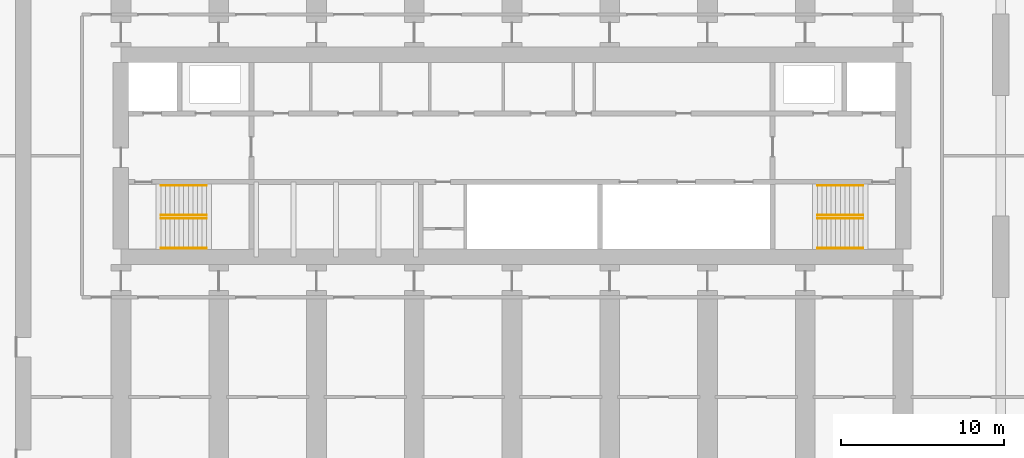
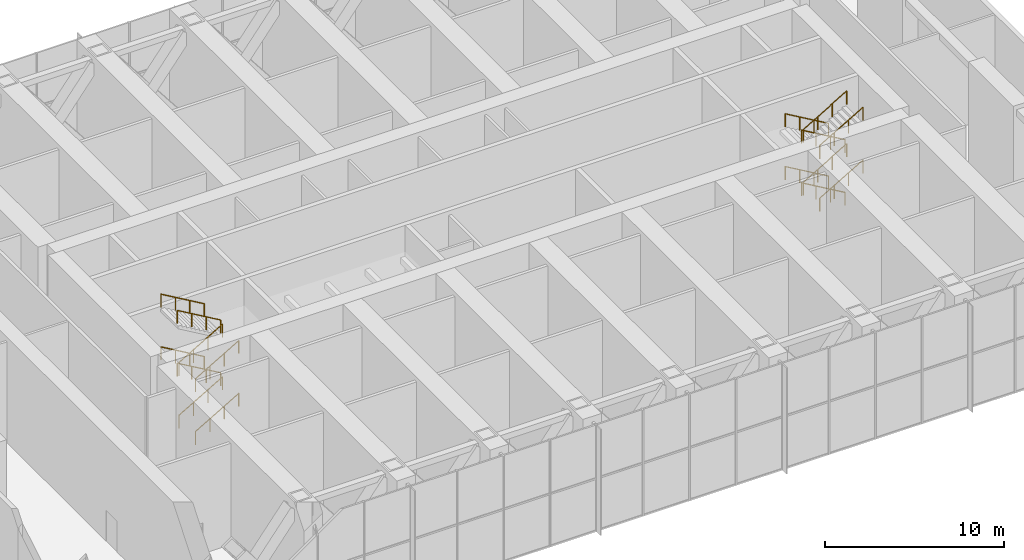
# One storey, part 22 of 22: 16 railings.
"""IFC4 building model written with IfcOpenShell, lengths in metres."""

import ifcopenshell
import ifcopenshell.guid

model = None  # the IFC model being written
_history = None  # IfcOwnerHistory: only IFC2X3 demands one
_inside = {}  # id of a spatial element -> (the spatial element, [elements in it])
_under = {}  # id of a project, library or spatial element -> (it, [spatial elements below it])
_declared = {}  # id of a project -> (the project, [libraries it declares])
_typed = {}  # id of a type object -> (the type object, [elements of that type])
_made_of = {}  # id of a material, layer set ... -> (it, [elements and type objects made of it])


def new_model(schema):
    """Start an empty IFC model of exactly this schema.

    Asked for "IFC4X3", IfcOpenShell would pick the latest addendum, in which some entities
    have other attributes; the version numbers below select the first issue.
    IFC2X3 requires an IfcOwnerHistory on every rooted entity: one is made here for all.
    """
    global model, _history
    if schema == "IFC4X3":
        model = ifcopenshell.file(schema_version=(4, 3, 0, 0))
    else:
        model = ifcopenshell.file(schema=schema)
    _inside.clear()
    _under.clear()
    _declared.clear()
    _typed.clear()
    _made_of.clear()
    _history = None
    if model.schema == "IFC2X3":
        org = make("IfcOrganization", Name="unknown")
        user = make(
            "IfcPersonAndOrganization",
            ThePerson=make("IfcPerson", FamilyName="unknown"),
            TheOrganization=org,
        )
        app = make(
            "IfcApplication",
            ApplicationDeveloper=org,
            Version="unknown",
            ApplicationFullName="unknown",
            ApplicationIdentifier="unknown",
        )
        _history = make(
            "IfcOwnerHistory",
            OwningUser=user,
            OwningApplication=app,
            ChangeAction="ADDED",
            CreationDate=0,
        )
    return model


def make(cls, **values):
    """One entity of the class cls with the attributes given. An attribute that is None is left unset."""
    return model.create_entity(
        cls, **{name: value for name, value in values.items() if value is not None}
    )


def rooted(cls, **values):
    """An entity with a GlobalId (a new one), such as an element, a storey or a relation."""
    return make(cls, GlobalId=ifcopenshell.guid.new(), OwnerHistory=_history, **values)


def si_unit(unit_type, name, prefix=None):
    """IfcSIUnit, for example si_unit("LENGTHUNIT", "METRE", prefix="MILLI")."""
    return make("IfcSIUnit", UnitType=unit_type, Prefix=prefix, Name=name)


def assignment(units):
    """IfcUnitAssignment: the units of a project."""
    return None if units is None else make("IfcUnitAssignment", Units=units)


def point(xyz):
    """IfcCartesianPoint."""
    return None if xyz is None else make("IfcCartesianPoint", Coordinates=xyz)


def direction(xyz):
    """IfcDirection."""
    return None if xyz is None else make("IfcDirection", DirectionRatios=xyz)


def frame(location, z_axis=None, x_axis=None):
    """IfcAxis2Placement3D, a coordinate frame: its origin and axes. An axis left out is left unset."""
    return make(
        "IfcAxis2Placement3D",
        Location=point(location),
        Axis=direction(z_axis),
        RefDirection=direction(x_axis),
    )


def frame_2d(location, x_axis=None):
    """IfcAxis2Placement2D, a coordinate frame in the plane: its origin and x axis."""
    return make(
        "IfcAxis2Placement2D", Location=point(location), RefDirection=direction(x_axis)
    )


def origin():
    """The frame at (0, 0, 0) with its axes left unset."""
    return frame((0.0, 0.0, 0.0))


def origin_2d():
    """The frame at (0, 0) in the plane with its x axis left unset."""
    return frame_2d((0.0, 0.0))


def place(relative_to, where):
    """IfcLocalPlacement: puts the frame where relative to a parent placement (None: the world)."""
    return make(
        "IfcLocalPlacement", PlacementRelTo=relative_to, RelativePlacement=where
    )


def context(
    kind, dimensions, precision=None, world=None, true_north=None, identifier=None
):
    """IfcGeometricRepresentationContext, for example the 3D "Model" context."""
    return make(
        "IfcGeometricRepresentationContext",
        ContextIdentifier=identifier,
        ContextType=kind,
        CoordinateSpaceDimension=dimensions,
        Precision=precision,
        WorldCoordinateSystem=world,
        TrueNorth=true_north,
    )


def subcontext(parent, identifier, kind, view, scale=None):
    """IfcGeometricRepresentationSubContext, for example "Body" below "Model"."""
    return make(
        "IfcGeometricRepresentationSubContext",
        ContextIdentifier=identifier,
        ContextType=kind,
        ParentContext=parent,
        TargetScale=scale,
        TargetView=view,
    )


def project(units=None, contexts=None):
    """IfcProject with its units and contexts."""
    return rooted(
        "IfcProject",
        Name="project",
        RepresentationContexts=contexts,
        UnitsInContext=assignment(units),
    )


def spatial(cls, under=None, at=None, **own):
    """A site, building, storey or space (cls), placed at a placement, below another one or the project."""
    s = rooted(cls, ObjectPlacement=at, **own)
    if under is not None:
        _under.setdefault(under.id(), (under, []))[1].append(s)
    return s


def profile(cls, at=None, kind="AREA", **sizes):
    """A parametric profile (cls). Its sizes go by their IFC names, for example OverallWidth=200.0."""
    return make(cls, ProfileType=kind, Position=at, **sizes)


def circle(**sizes):
    """IfcCircleProfileDef."""
    return profile("IfcCircleProfileDef", **sizes)


def extrude(swept, where, along, depth):
    """IfcExtrudedAreaSolid: the profile swept, set in the frame where, extruded along a direction by depth."""
    return make(
        "IfcExtrudedAreaSolid",
        SweptArea=swept,
        Position=where,
        ExtrudedDirection=direction(along),
        Depth=depth,
    )


def shape(context_of_items, identifier, shape_type, items):
    """IfcShapeRepresentation: the items that make up one representation, for example the "Body"."""
    return make(
        "IfcShapeRepresentation",
        ContextOfItems=context_of_items,
        RepresentationIdentifier=identifier,
        RepresentationType=shape_type,
        Items=items,
    )


def material(Name=None, Category=None):
    """IfcMaterial."""
    return make("IfcMaterial", Name=Name, Category=Category)


def made_of(thing, what):
    """Note that an element or type object is made of a material, layer set ...; save() writes the relation."""
    if what is not None:
        _made_of.setdefault(what.id(), (what, []))[1].append(thing)
    return thing


def type_object(cls, material=None, **own):
    """A type object (cls), such as IfcWallType, which elements share."""
    return made_of(rooted(cls, **own), material)


def element(
    cls,
    number,
    at=None,
    inside=None,
    cuts=None,
    type_object=None,
    material=None,
    context=None,
    identifier="Body",
    shape_type=None,
    held_by="IfcProductDefinitionShape",
    body=None,
    shapes=None,
    **own,
):
    """One element of the class cls, such as IfcWall. Its Tag is "e" and its number.

    at: its placement. inside: the storey or other place that contains it. cuts: it is an
    opening in that element (IfcRelVoidsElement). A single representation is given by context,
    identifier, shape_type and body (its items); several are given by shapes. held_by: the class
    of the entity that holds the representations. save() writes the other relations.
    """
    e = rooted(cls, Tag="e%d" % number, ObjectPlacement=at, **own)
    if body is not None:
        shapes = [shape(context, identifier, shape_type, body)]
    if shapes is not None:
        e.Representation = make(held_by, Representations=shapes)
    if inside is not None:
        _inside.setdefault(inside.id(), (inside, []))[1].append(e)
    if cuts is not None:
        rooted(
            "IfcRelVoidsElement", RelatingBuildingElement=cuts, RelatedOpeningElement=e
        )
    if type_object is not None:
        _typed.setdefault(type_object.id(), (type_object, []))[1].append(e)
    return made_of(e, material)


def aggregate(whole, parts):
    """IfcRelAggregates: a whole, such as a stair, and the parts it consists of."""
    return rooted("IfcRelAggregates", RelatingObject=whole, RelatedObjects=parts)


def save(model, path):
    """Write the relations noted so far, then the file.

    IfcRelAggregates (storeys below a building ...), IfcRelContainedInSpatialStructure (elements
    in a storey), IfcRelDefinesByType, IfcRelAssociatesMaterial and IfcRelDeclares: one each for
    every whole, place, type object, material and project.
    """
    for whole, parts in _under.values():
        aggregate(whole, parts)
    for where, things in _inside.values():
        rooted(
            "IfcRelContainedInSpatialStructure",
            RelatedElements=things,
            RelatingStructure=where,
        )
    for kind, things in _typed.values():
        rooted("IfcRelDefinesByType", RelatedObjects=things, RelatingType=kind)
    for what, things in _made_of.values():
        rooted("IfcRelAssociatesMaterial", RelatedObjects=things, RelatingMaterial=what)
    for by, libraries in _declared.values():
        rooted("IfcRelDeclares", RelatingContext=by, RelatedDefinitions=libraries)
    model.write(path)


model = new_model("IFC4")

# Units and contexts
model_context = context("Model", 3, precision=1e-05, world=origin(), true_north=direction((0.0, 1.0)))
body_context = subcontext(model_context, "Body", "Model", "MODEL_VIEW")
ifc_project = project(units=[si_unit("LENGTHUNIT", "METRE"), si_unit("AREAUNIT", "SQUARE_METRE"), si_unit("VOLUMEUNIT", "CUBIC_METRE"), si_unit("PLANEANGLEUNIT", "RADIAN"), si_unit("MASSUNIT", "GRAM", prefix="KILO")], contexts=[model_context])

# Site, building, storey
site_placement = place(None, origin())
site = spatial("IfcSite", under=ifc_project, at=site_placement, CompositionType="ELEMENT")
building_placement = place(site_placement, origin())
building = spatial("IfcBuilding", under=site, at=building_placement, Name="Orbita Commons", CompositionType="ELEMENT")
storey_placement = place(building_placement, frame((0.0, 0.0, 133.14990234375)))
storey = spatial("IfcBuildingStorey", under=building, at=storey_placement, Name="L33", CompositionType="ELEMENT", Elevation=133.14990234375)

# Railings
ifc_material = material(Name="Steel tube, painted", Category="steel")
railing_type = type_object("IfcRailingType", Name="Stair handrail steel tube 900", PredefinedType="HANDRAIL", material=ifc_material)
for number, where, name in (
    (1, (20.449951171875, 28.1650390625, 0.163818359375), "Stair S1 handrail L33 flight 1"),
    (2, (20.449951171875, 26.3349609375, 0.163818359375), "Stair S1 handrail L33 flight 1"),
):
    element("IfcRailing", number, at=place(storey_placement, frame(where)), inside=storey, type_object=railing_type, Name=name, PredefinedType="HANDRAIL", context=body_context, shape_type="SweptSolid", body=[
        extrude(circle(Radius=0.02099609375, at=origin_2d()), frame((0.0, 0.0, 0.87890625), z_axis=(0.863393664356, 0.0, 0.504530851732), x_axis=(0.0, 1.0, 0.0)), (0.0, 0.0, 1.0), 3.2431640625),
        extrude(circle(Radius=0.02001953125, at=origin_2d()), origin(), (0.0, 0.0, 1.0), 0.85791015625),
        extrude(circle(Radius=0.02001953125, at=origin_2d()), frame((0.933349609375, 0.0, 0.54541015625)), (0.0, 0.0, 1.0), 0.85791015625),
        extrude(circle(Radius=0.02001953125, at=origin_2d()), frame((1.86669921875, 0.0, 1.0908203125)), (0.0, 0.0, 1.0), 0.85791015625),
        extrude(circle(Radius=0.02001953125, at=origin_2d()), frame((2.800048828125, 0.0, 1.63623046875)), (0.0, 0.0, 1.0), 0.85791015625),
    ])
for number, where, name in (
    (3, (23.25, 28.360107421875, 1.963623046875), "Stair S1 handrail L33 flight 2"),
    (4, (23.25, 30.18994140625, 1.963623046875), "Stair S1 handrail L33 flight 2"),
):
    element("IfcRailing", number, at=place(storey_placement, frame(where)), inside=storey, type_object=railing_type, Name=name, PredefinedType="HANDRAIL", context=body_context, shape_type="SweptSolid", body=[
        extrude(circle(Radius=0.02099609375, at=origin_2d()), frame((0.0, 0.0, 0.87890625), z_axis=(-0.863360870873, 0.0, 0.504586966384), x_axis=(0.0, -1.0, 0.0)), (0.0, 0.0, 1.0), 3.2431640625),
        extrude(circle(Radius=0.02001953125, at=origin_2d()), origin(), (0.0, 0.0, 1.0), 0.85791015625),
        extrude(circle(Radius=0.02001953125, at=origin_2d()), frame((-0.933349609375, 0.0, 0.54541015625)), (0.0, 0.0, 1.0), 0.85791015625),
        extrude(circle(Radius=0.02001953125, at=origin_2d()), frame((-1.86669921875, 0.0, 1.091064453125)), (0.0, 0.0, 1.0), 0.85791015625),
        extrude(circle(Radius=0.02001953125, at=origin_2d()), frame((-2.800048828125, 0.0, 1.636474609375)), (0.0, 0.0, 1.0), 0.85791015625),
    ])
for number, where, name in (
    (5, (20.449951171875, 28.1650390625, 3.763671875), "Stair S1 handrail L33 flight 3"),
    (6, (20.449951171875, 26.3349609375, 3.763671875), "Stair S1 handrail L33 flight 3"),
):
    element("IfcRailing", number, at=place(storey_placement, frame(where)), inside=storey, type_object=railing_type, Name=name, PredefinedType="HANDRAIL", context=body_context, shape_type="SweptSolid", body=[
        extrude(circle(Radius=0.02099609375, at=origin_2d()), frame((0.0, 0.0, 0.87890625), z_axis=(0.863360870873, 0.0, 0.504586966384), x_axis=(0.0, 1.0, 0.0)), (0.0, 0.0, 1.0), 3.2431640625),
        extrude(circle(Radius=0.02001953125, at=origin_2d()), origin(), (0.0, 0.0, 1.0), 0.85791015625),
        extrude(circle(Radius=0.02001953125, at=origin_2d()), frame((0.933349609375, 0.0, 0.54541015625)), (0.0, 0.0, 1.0), 0.85791015625),
        extrude(circle(Radius=0.02001953125, at=origin_2d()), frame((1.86669921875, 0.0, 1.091064453125)), (0.0, 0.0, 1.0), 0.85791015625),
        extrude(circle(Radius=0.02001953125, at=origin_2d()), frame((2.800048828125, 0.0, 1.636474609375)), (0.0, 0.0, 1.0), 0.85791015625),
    ])
for number, where, name in (
    (7, (23.25, 28.360107421875, 5.563720703125), "Stair S1 handrail L33 flight 4"),
    (8, (23.25, 30.18994140625, 5.563720703125), "Stair S1 handrail L33 flight 4"),
):
    element("IfcRailing", number, at=place(storey_placement, frame(where)), inside=storey, type_object=railing_type, Name=name, PredefinedType="HANDRAIL", context=body_context, shape_type="SweptSolid", body=[
        extrude(circle(Radius=0.02099609375, at=origin_2d()), frame((0.0, 0.0, 0.87890625), z_axis=(-0.863360870873, 0.0, 0.504586966384), x_axis=(0.0, -1.0, 0.0)), (0.0, 0.0, 1.0), 3.2431640625),
        extrude(circle(Radius=0.02001953125, at=origin_2d()), origin(), (0.0, 0.0, 1.0), 0.85791015625),
        extrude(circle(Radius=0.02001953125, at=origin_2d()), frame((-0.933349609375, 0.0, 0.54541015625)), (0.0, 0.0, 1.0), 0.85791015625),
        extrude(circle(Radius=0.02001953125, at=origin_2d()), frame((-1.86669921875, 0.0, 1.091064453125)), (0.0, 0.0, 1.0), 0.85791015625),
        extrude(circle(Radius=0.02001953125, at=origin_2d()), frame((-2.800048828125, 0.0, 1.636474609375)), (0.0, 0.0, 1.0), 0.85791015625),
    ])
for number, where, name in (
    (9, (63.550048828125, 28.360107421875, 0.163818359375), "Stair S2 handrail L33 flight 1"),
    (10, (63.550048828125, 30.18994140625, 0.163818359375), "Stair S2 handrail L33 flight 1"),
):
    element("IfcRailing", number, at=place(storey_placement, frame(where)), inside=storey, type_object=railing_type, Name=name, PredefinedType="HANDRAIL", context=body_context, shape_type="SweptSolid", body=[
        extrude(circle(Radius=0.02099609375, at=origin_2d()), frame((0.0, 0.0, 0.87890625), z_axis=(-0.863393664356, 0.0, 0.504530851732), x_axis=(0.0, -1.0, 0.0)), (0.0, 0.0, 1.0), 3.2431640625),
        extrude(circle(Radius=0.02001953125, at=origin_2d()), origin(), (0.0, 0.0, 1.0), 0.85791015625),
        extrude(circle(Radius=0.02001953125, at=origin_2d()), frame((-0.933349609375, 0.0, 0.54541015625)), (0.0, 0.0, 1.0), 0.85791015625),
        extrude(circle(Radius=0.02001953125, at=origin_2d()), frame((-1.86669921875, 0.0, 1.0908203125)), (0.0, 0.0, 1.0), 0.85791015625),
        extrude(circle(Radius=0.02001953125, at=origin_2d()), frame((-2.800048828125, 0.0, 1.63623046875)), (0.0, 0.0, 1.0), 0.85791015625),
    ])
for number, where, name in (
    (11, (60.75, 28.1650390625, 1.963623046875), "Stair S2 handrail L33 flight 2"),
    (12, (60.75, 26.3349609375, 1.963623046875), "Stair S2 handrail L33 flight 2"),
):
    element("IfcRailing", number, at=place(storey_placement, frame(where)), inside=storey, type_object=railing_type, Name=name, PredefinedType="HANDRAIL", context=body_context, shape_type="SweptSolid", body=[
        extrude(circle(Radius=0.02099609375, at=origin_2d()), frame((0.0, 0.0, 0.87890625), z_axis=(0.863360870873, 0.0, 0.504586966384), x_axis=(0.0, 1.0, 0.0)), (0.0, 0.0, 1.0), 3.2431640625),
        extrude(circle(Radius=0.02001953125, at=origin_2d()), origin(), (0.0, 0.0, 1.0), 0.85791015625),
        extrude(circle(Radius=0.02001953125, at=origin_2d()), frame((0.933349609375, 0.0, 0.54541015625)), (0.0, 0.0, 1.0), 0.85791015625),
        extrude(circle(Radius=0.02001953125, at=origin_2d()), frame((1.86669921875, 0.0, 1.091064453125)), (0.0, 0.0, 1.0), 0.85791015625),
        extrude(circle(Radius=0.02001953125, at=origin_2d()), frame((2.800048828125, 0.0, 1.636474609375)), (0.0, 0.0, 1.0), 0.85791015625),
    ])
for number, where, name in (
    (13, (63.550048828125, 28.360107421875, 3.763671875), "Stair S2 handrail L33 flight 3"),
    (14, (63.550048828125, 30.18994140625, 3.763671875), "Stair S2 handrail L33 flight 3"),
):
    element("IfcRailing", number, at=place(storey_placement, frame(where)), inside=storey, type_object=railing_type, Name=name, PredefinedType="HANDRAIL", context=body_context, shape_type="SweptSolid", body=[
        extrude(circle(Radius=0.02099609375, at=origin_2d()), frame((0.0, 0.0, 0.87890625), z_axis=(-0.863360870873, 0.0, 0.504586966384), x_axis=(0.0, -1.0, 0.0)), (0.0, 0.0, 1.0), 3.2431640625),
        extrude(circle(Radius=0.02001953125, at=origin_2d()), origin(), (0.0, 0.0, 1.0), 0.85791015625),
        extrude(circle(Radius=0.02001953125, at=origin_2d()), frame((-0.933349609375, 0.0, 0.54541015625)), (0.0, 0.0, 1.0), 0.85791015625),
        extrude(circle(Radius=0.02001953125, at=origin_2d()), frame((-1.86669921875, 0.0, 1.091064453125)), (0.0, 0.0, 1.0), 0.85791015625),
        extrude(circle(Radius=0.02001953125, at=origin_2d()), frame((-2.800048828125, 0.0, 1.636474609375)), (0.0, 0.0, 1.0), 0.85791015625),
    ])
for number, where, name in (
    (15, (60.75, 28.1650390625, 5.563720703125), "Stair S2 handrail L33 flight 4"),
    (16, (60.75, 26.3349609375, 5.563720703125), "Stair S2 handrail L33 flight 4"),
):
    element("IfcRailing", number, at=place(storey_placement, frame(where)), inside=storey, type_object=railing_type, Name=name, PredefinedType="HANDRAIL", context=body_context, shape_type="SweptSolid", body=[
        extrude(circle(Radius=0.02099609375, at=origin_2d()), frame((0.0, 0.0, 0.87890625), z_axis=(0.863360870873, 0.0, 0.504586966384), x_axis=(0.0, 1.0, 0.0)), (0.0, 0.0, 1.0), 3.2431640625),
        extrude(circle(Radius=0.02001953125, at=origin_2d()), origin(), (0.0, 0.0, 1.0), 0.85791015625),
        extrude(circle(Radius=0.02001953125, at=origin_2d()), frame((0.933349609375, 0.0, 0.54541015625)), (0.0, 0.0, 1.0), 0.85791015625),
        extrude(circle(Radius=0.02001953125, at=origin_2d()), frame((1.86669921875, 0.0, 1.091064453125)), (0.0, 0.0, 1.0), 0.85791015625),
        extrude(circle(Radius=0.02001953125, at=origin_2d()), frame((2.800048828125, 0.0, 1.636474609375)), (0.0, 0.0, 1.0), 0.85791015625),
    ])

save(model, "model.ifc")
